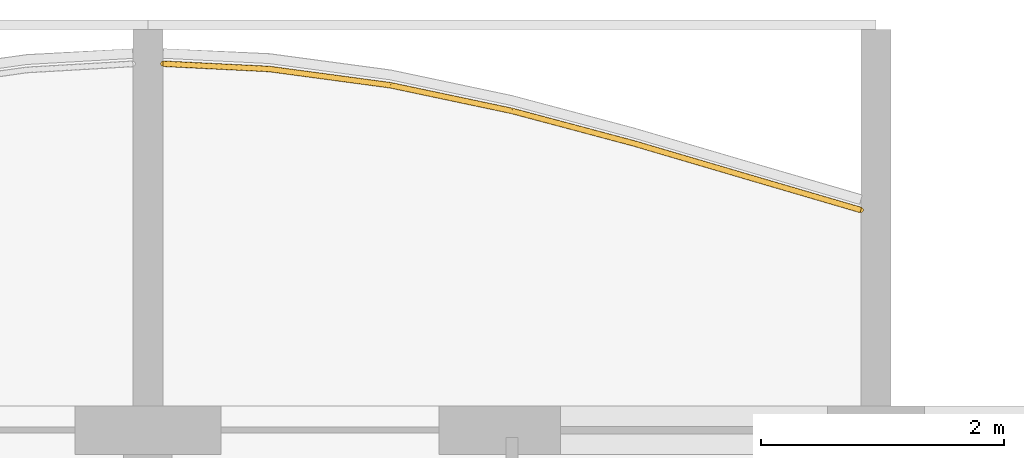
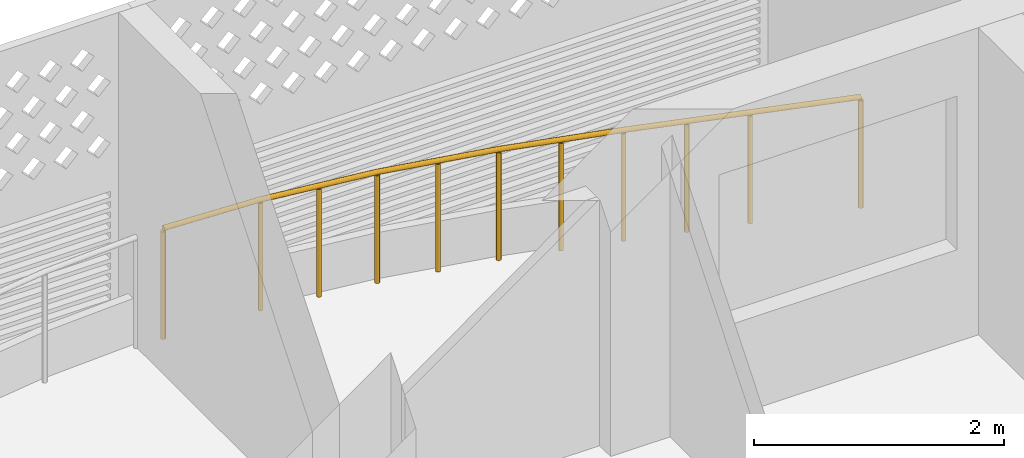
# One storey, part 33 of 38: 1 railing.
"""IFC4 building model written with IfcOpenShell, lengths in metres."""

from ifc_helpers import new_model, si_unit, direction, frame, origin, origin_2d, place, context, subcontext, project, spatial, circle, extrude, material, type_object, element, save


model = new_model("IFC4")

# Units and contexts
model_context = context("Model", 3, precision=1e-05, world=origin(), true_north=direction((0.0, 1.0)))
body_context = subcontext(model_context, "Body", "Model", "MODEL_VIEW")
ifc_project = project(units=[si_unit("LENGTHUNIT", "METRE"), si_unit("AREAUNIT", "SQUARE_METRE"), si_unit("VOLUMEUNIT", "CUBIC_METRE"), si_unit("PLANEANGLEUNIT", "RADIAN"), si_unit("MASSUNIT", "GRAM", prefix="KILO")], contexts=[model_context])

# Site, building, storey
site_placement = place(None, origin())
site = spatial("IfcSite", under=ifc_project, at=site_placement, CompositionType="ELEMENT")
building_placement = place(site_placement, origin())
building = spatial("IfcBuilding", under=site, at=building_placement, Name="Poui Terraces", CompositionType="ELEMENT")
storey_placement = place(building_placement, frame((0.0, 0.0, 49.800048828125)))
storey = spatial("IfcBuildingStorey", under=building, at=storey_placement, Name="L13", CompositionType="ELEMENT", Elevation=49.800048828125)

# Railing
ifc_material = material(Name="Painted steel fretwork", Category="steel")
railing_type = type_object("IfcRailingType", Name="BALCONY GUARD 1100", PredefinedType="GUARDRAIL", material=ifc_material)
railing_placement = place(storey_placement, frame((72.125, 47.819580078125, 0.0)))
element("IfcRailing", 1, at=railing_placement, inside=storey, type_object=railing_type, Name="BALCONY GUARD", PredefinedType="GUARDRAIL", context=body_context, shape_type="SweptSolid", body=[
    extrude(circle(Radius=0.02392578125, at=origin_2d()), frame((0.0, 0.0, 1.076171875), z_axis=(0.998768961938, -0.049604038846, 0.0), x_axis=(0.049604038846, 0.998768961938, 0.0)), (0.0, 0.0, 1.0), 0.8759765625),
    extrude(circle(Radius=0.02392578125, at=origin_2d()), frame((0.875, -0.04345703125, 1.076171875), z_axis=(0.991104904979, -0.133082934018, 0.0), x_axis=(0.133082934018, 0.991104904979, 0.0)), (0.0, 0.0, 1.0), 1.009033203125),
    extrude(circle(Radius=0.02392578125, at=origin_2d()), frame((1.875, -0.177734375, 1.076171875), z_axis=(0.978420335295, -0.206624411629, 0.0), x_axis=(0.206624411629, 0.978420335295, 0.0)), (0.0, 0.0, 1.0), 1.02197265625),
    extrude(circle(Radius=0.02392578125, at=origin_2d()), frame((2.875, -0.388916015625, 1.076171875), z_axis=(0.966309295868, -0.257383652781, 0.0), x_axis=(0.257383652781, 0.966309295868, 0.0)), (0.0, 0.0, 1.0), 1.034912109375),
    extrude(circle(Radius=0.02392578125, at=origin_2d()), frame((3.875, -0.6552734375, 1.076171875), z_axis=(0.959346851742, -0.282229725671, 0.0), x_axis=(0.282229725671, 0.959346851742, 0.0)), (0.0, 0.0, 1.0), 1.04248046875),
    extrude(circle(Radius=0.02392578125, at=origin_2d()), frame((4.875, -0.949462890625, 1.076171875), z_axis=(0.959735646222, -0.280904769221, 0.0), x_axis=(0.280904769221, 0.959735646222, 0.0)), (0.0, 0.0, 1.0), 0.91162109375),
    extrude(circle(Radius=0.02099609375, at=origin_2d()), origin(), (0.0, 0.0, 1.0), 1.052001953125),
    extrude(circle(Radius=0.02099609375, at=origin_2d()), frame((0.875, -0.04345703125, 0.0)), (0.0, 0.0, 1.0), 1.052001953125),
    extrude(circle(Radius=0.02099609375, at=origin_2d()), frame((1.375, -0.110595703125, 0.0)), (0.0, 0.0, 1.0), 1.052001953125),
    extrude(circle(Radius=0.02099609375, at=origin_2d()), frame((1.875, -0.177734375, 0.0)), (0.0, 0.0, 1.0), 1.052001953125),
    extrude(circle(Radius=0.02099609375, at=origin_2d()), frame((2.375, -0.283203125, 0.0)), (0.0, 0.0, 1.0), 1.052001953125),
    extrude(circle(Radius=0.02099609375, at=origin_2d()), frame((2.875, -0.388916015625, 0.0)), (0.0, 0.0, 1.0), 1.052001953125),
    extrude(circle(Radius=0.02099609375, at=origin_2d()), frame((3.375, -0.52197265625, 0.0)), (0.0, 0.0, 1.0), 1.052001953125),
    extrude(circle(Radius=0.02099609375, at=origin_2d()), frame((3.875, -0.6552734375, 0.0)), (0.0, 0.0, 1.0), 1.052001953125),
    extrude(circle(Radius=0.02099609375, at=origin_2d()), frame((4.375, -0.80224609375, 0.0)), (0.0, 0.0, 1.0), 1.052001953125),
    extrude(circle(Radius=0.02099609375, at=origin_2d()), frame((4.875, -0.949462890625, 0.0)), (0.0, 0.0, 1.0), 1.052001953125),
    extrude(circle(Radius=0.02099609375, at=origin_2d()), frame((5.75, -1.20556640625, 0.0)), (0.0, 0.0, 1.0), 1.052001953125),
])

save(model, "model.ifc")
